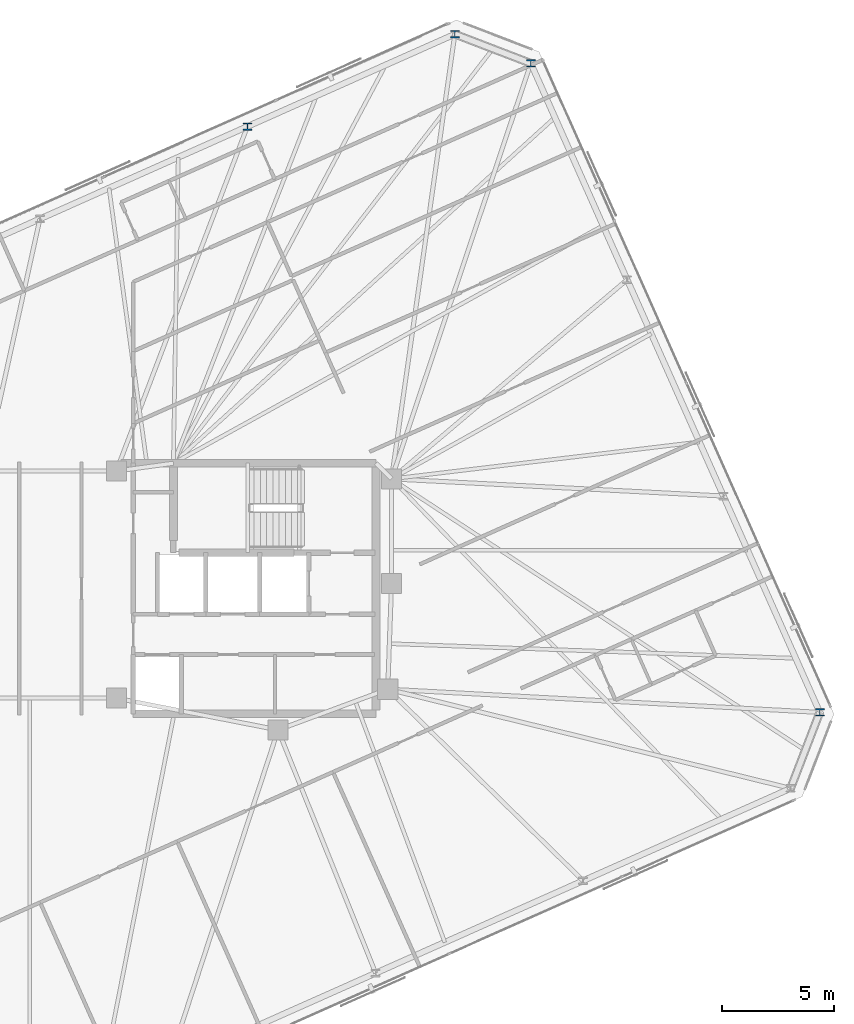
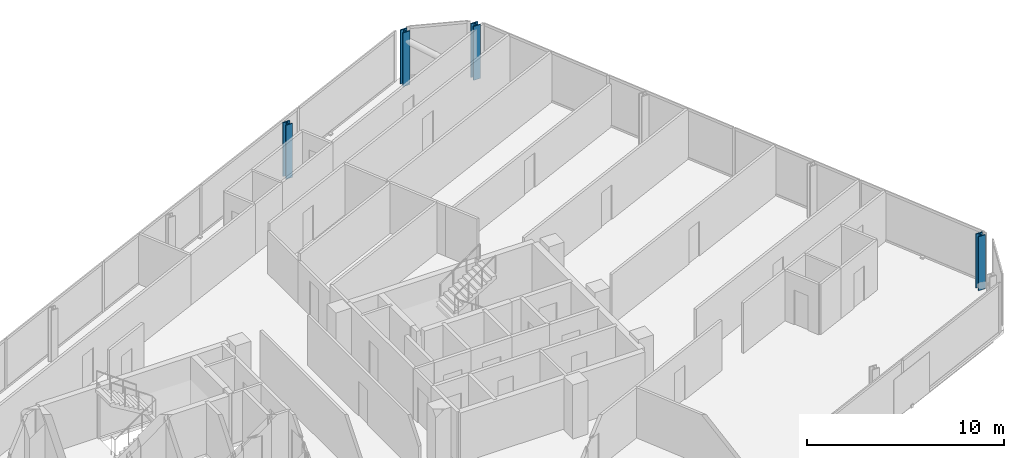
# One storey, part 4 of 19: 4 columns.
"""IFC4 building model written with IfcOpenShell, lengths in metres."""

from ifc_helpers import new_model, si_unit, direction, frame, origin, origin_2d, place, context, subcontext, project, spatial, i_section, extrude, material, material_profile, profile_set, type_object, element, save


model = new_model("IFC4")

# Units and contexts
model_context = context("Model", 3, precision=1e-05, world=origin(), true_north=direction((0.0, 1.0)))
body_context = subcontext(model_context, "Body", "Model", "MODEL_VIEW")
ifc_project = project(units=[si_unit("LENGTHUNIT", "METRE"), si_unit("AREAUNIT", "SQUARE_METRE"), si_unit("VOLUMEUNIT", "CUBIC_METRE"), si_unit("PLANEANGLEUNIT", "RADIAN"), si_unit("MASSUNIT", "GRAM", prefix="KILO")], contexts=[model_context])

# Site, building, storey
site_placement = place(None, origin())
site = spatial("IfcSite", under=ifc_project, at=site_placement, CompositionType="ELEMENT")
building_placement = place(site_placement, origin())
building = spatial("IfcBuilding", under=site, at=building_placement, Name="Menara Jurai Vektor", CompositionType="ELEMENT")
storey_placement = place(building_placement, frame((0.0, 0.0, 262.199951171875)))
storey = spatial("IfcBuildingStorey", under=building, at=storey_placement, Name="L70", CompositionType="ELEMENT", Elevation=262.199951171875)

# Columns
ifc_material = material(Name="Steel S460", Category="steel")
ifc_material_profile = material_profile(ifc_material, i_section(OverallWidth=0.40087890625, OverallDepth=0.3349609375, WebThickness=0.035888671875, FlangeThickness=0.05810546875, FilletRadius=0.014892578125, at=origin_2d()), Name="HD 400x463")
ifc_profile_set = profile_set([ifc_material_profile], Name="Steel S460")
column_type = type_object("IfcColumnType", Name="STR-EXO-BLK5", PredefinedType="COLUMN", material=ifc_profile_set)
for number, where, z_axis, x_axis, name in (
    (1, (34.3916015625, -5.536865234375, 0.0), (0.0, 0.0, 1.0), (1.0, 0.0, 0.0), "Exoskeleton Column BLK5-E1 L70"),
    (2, (21.4755859375, 23.473388671875, 0.0), (0.0, 0.0, 1.0), (1.0, 0.0, 0.0), "Exoskeleton Column BLK5-E4 L70"),
    (3, (18.07958984375, 24.777099609375, 0.0), (0.0, 0.0, 1.0), (1.0, 0.0, 0.0), "Exoskeleton Column BLK5-N1 L70"),
    (4, (8.805908203125, 20.648193359375, 0.0), (0.0, 0.0, 1.0), (1.0, 0.0, 0.0), "Exoskeleton Column BLK5-N2 L70"),
):
    element("IfcColumn", number, at=place(storey_placement, frame(where, z_axis=z_axis, x_axis=x_axis)), inside=storey, type_object=column_type, Name=name, PredefinedType="COLUMN", context=body_context, shape_type="SweptSolid", body=[
        extrude(i_section(OverallWidth=0.40087890625, OverallDepth=0.3349609375, WebThickness=0.035888671875, FlangeThickness=0.05810546875, FilletRadius=0.014892578125, at=origin_2d()), origin(), (0.0, 0.0, 1.0), 3.35009765625),
    ])

save(model, "model.ifc")
